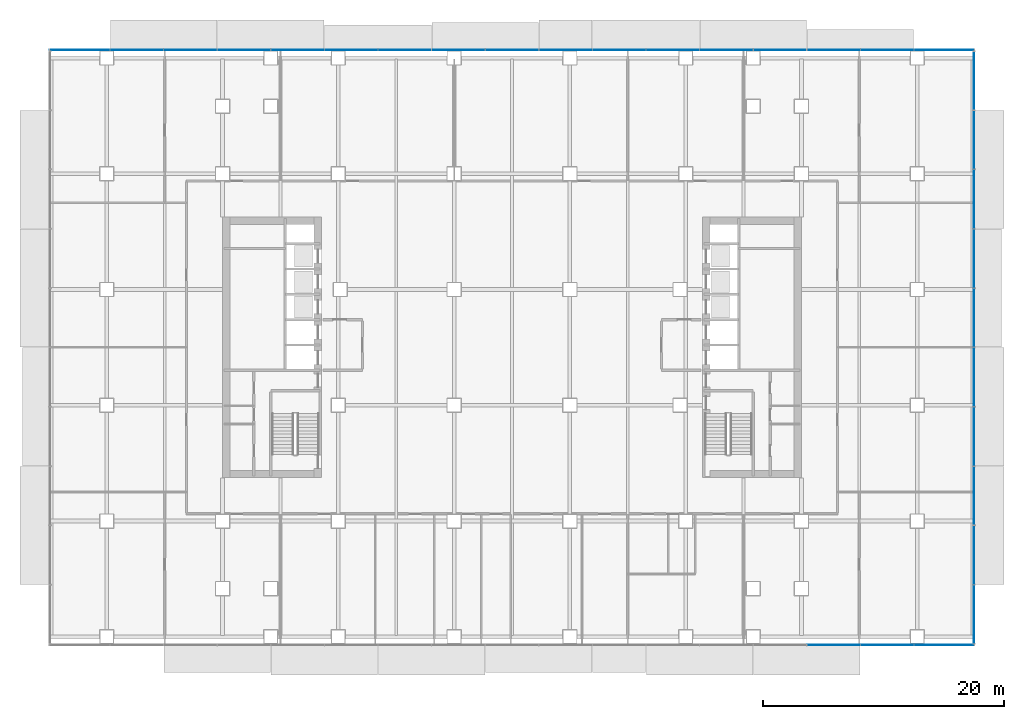
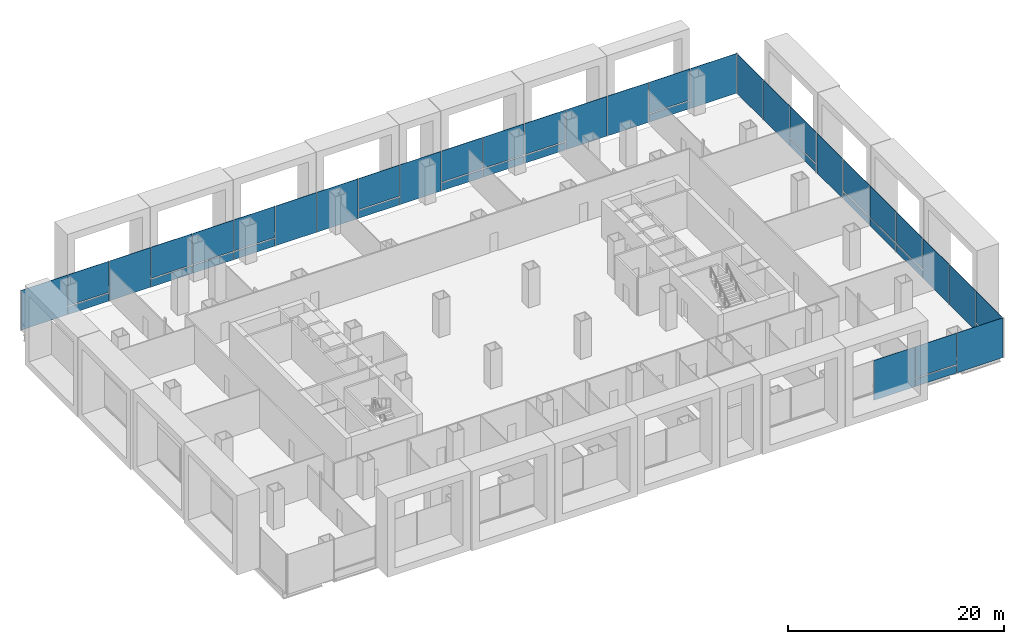
# One storey, part 13 of 23: 45 plates, 3 elements without a shape of their own.
"""IFC4 building model written with IfcOpenShell, lengths in metres."""

from ifc_helpers import new_model, si_unit, direction, frame, origin, origin_2d, place, context, subcontext, project, spatial, rectangle, extrude, material, layer, layer_set, type_object, element, aggregate, save


model = new_model("IFC4")

# Units and contexts
model_context = context("Model", 3, precision=1e-05, world=origin(), true_north=direction((0.0, 1.0)))
body_context = subcontext(model_context, "Body", "Model", "MODEL_VIEW")
ifc_project = project(units=[si_unit("LENGTHUNIT", "METRE"), si_unit("AREAUNIT", "SQUARE_METRE"), si_unit("VOLUMEUNIT", "CUBIC_METRE"), si_unit("PLANEANGLEUNIT", "RADIAN"), si_unit("MASSUNIT", "GRAM", prefix="KILO")], contexts=[model_context])

# Site, building, storey
site_placement = place(None, origin())
site = spatial("IfcSite", under=ifc_project, at=site_placement, CompositionType="ELEMENT")
building_placement = place(site_placement, origin())
building = spatial("IfcBuilding", under=site, at=building_placement, Name="Cobrizo Arcos Hotel Tower", CompositionType="ELEMENT")
storey_placement = place(building_placement, frame((0.0, 0.0, 24.5)))
storey = spatial("IfcBuildingStorey", under=building, at=storey_placement, Name="L04", CompositionType="ELEMENT", Elevation=24.5)

# Curtain wall, plates
ifc_material_1 = material(Name="Aluminium 6063-T6 anodised bronze", Category="aluminium")
curtain_wall_type_1 = type_object("IfcCurtainWallType", Name="CW-A guest facade", PredefinedType="NOTDEFINED", material=ifc_material_1)
curtain_wall_1_placement = place(storey_placement, origin())
curtain_wall_1 = element("IfcCurtainWall", 1, at=curtain_wall_1_placement, inside=storey, type_object=curtain_wall_type_1, Name="CW-A L04 N face", PredefinedType="NOTDEFINED")
ifc_material_2 = material(Name="Glass clear laminated low-e", Category="glass")
ifc_layer_1 = layer(ifc_material_2, 0.0400390625)
ifc_layer_set_1 = layer_set([ifc_layer_1], Name="CW-A glass panel")
plate_type_1 = type_object("IfcPlateType", Name="CW-A glass panel", PredefinedType="CURTAIN_PANEL", material=ifc_layer_set_1)
plate_1_placement = place(storey_placement, frame((31.111083984375, 24.675048828125, 0.990234375), z_axis=(0.0, 0.0, 1.0), x_axis=(-1.0, 0.0, 0.0)))
plate_1 = element("IfcPlate", 2, at=plate_1_placement, type_object=plate_type_1, Name="CW-A glass panel 226", PredefinedType="CURTAIN_PANEL", context=body_context, shape_type="SweptSolid", body=[
    extrude(rectangle(XDim=4.384521484375, YDim=0.0400390625, at=origin_2d()), origin(), (0.0, 0.0, 1.0), 3.510009765625),
])
plate_2_placement = place(storey_placement, frame((17.77783203125, 24.675048828125, 0.990234375), z_axis=(0.0, 0.0, 1.0), x_axis=(-1.0, 0.0, 0.0)))
plate_2 = element("IfcPlate", 3, at=plate_2_placement, type_object=plate_type_1, Name="CW-A glass panel 229", PredefinedType="CURTAIN_PANEL", context=body_context, shape_type="SweptSolid", body=[
    extrude(rectangle(XDim=4.384521484375, YDim=0.0400390625, at=origin_2d()), origin(), (0.0, 0.0, 1.0), 3.510009765625),
])
plate_3_placement = place(storey_placement, frame((13.333251953125, 24.675048828125, 0.990234375), z_axis=(0.0, 0.0, 1.0), x_axis=(-1.0, 0.0, 0.0)))
plate_3 = element("IfcPlate", 4, at=plate_3_placement, type_object=plate_type_1, Name="CW-A glass panel 230", PredefinedType="CURTAIN_PANEL", context=body_context, shape_type="SweptSolid", body=[
    extrude(rectangle(XDim=4.384521484375, YDim=0.0400390625, at=origin_2d()), origin(), (0.0, 0.0, 1.0), 3.510009765625),
])
plate_4_placement = place(storey_placement, frame((8.888916015625, 24.675048828125, 0.990234375), z_axis=(0.0, 0.0, 1.0), x_axis=(-1.0, 0.0, 0.0)))
plate_4 = element("IfcPlate", 5, at=plate_4_placement, type_object=plate_type_1, Name="CW-A glass panel 231", PredefinedType="CURTAIN_PANEL", context=body_context, shape_type="SweptSolid", body=[
    extrude(rectangle(XDim=4.384521484375, YDim=0.0400390625, at=origin_2d()), origin(), (0.0, 0.0, 1.0), 3.510009765625),
])
plate_5_placement = place(storey_placement, frame((0.0, 24.675048828125, 0.990234375), z_axis=(0.0, 0.0, 1.0), x_axis=(-1.0, 0.0, 0.0)))
plate_5 = element("IfcPlate", 6, at=plate_5_placement, type_object=plate_type_1, Name="CW-A glass panel 233", PredefinedType="CURTAIN_PANEL", context=body_context, shape_type="SweptSolid", body=[
    extrude(rectangle(XDim=4.384521484375, YDim=0.0400390625, at=origin_2d()), origin(), (0.0, 0.0, 1.0), 3.510009765625),
])
plate_6_placement = place(storey_placement, frame((-13.333251953125, 24.675048828125, 0.990234375), z_axis=(0.0, 0.0, 1.0), x_axis=(-1.0, 0.0, 0.0)))
plate_6 = element("IfcPlate", 7, at=plate_6_placement, type_object=plate_type_1, Name="CW-A glass panel 236", PredefinedType="CURTAIN_PANEL", context=body_context, shape_type="SweptSolid", body=[
    extrude(rectangle(XDim=4.384521484375, YDim=0.0400390625, at=origin_2d()), origin(), (0.0, 0.0, 1.0), 3.510009765625),
])
plate_7_placement = place(storey_placement, frame((-17.77783203125, 24.675048828125, 0.990234375), z_axis=(0.0, 0.0, 1.0), x_axis=(-1.0, 0.0, 0.0)))
plate_7 = element("IfcPlate", 8, at=plate_7_placement, type_object=plate_type_1, Name="CW-A glass panel 237", PredefinedType="CURTAIN_PANEL", context=body_context, shape_type="SweptSolid", body=[
    extrude(rectangle(XDim=4.384521484375, YDim=0.0400390625, at=origin_2d()), origin(), (0.0, 0.0, 1.0), 3.510009765625),
])
plate_8_placement = place(storey_placement, frame((-22.22216796875, 24.675048828125, 0.990234375), z_axis=(0.0, 0.0, 1.0), x_axis=(-1.0, 0.0, 0.0)))
plate_8 = element("IfcPlate", 9, at=plate_8_placement, type_object=plate_type_1, Name="CW-A glass panel 238", PredefinedType="CURTAIN_PANEL", context=body_context, shape_type="SweptSolid", body=[
    extrude(rectangle(XDim=4.384521484375, YDim=0.0400390625, at=origin_2d()), origin(), (0.0, 0.0, 1.0), 3.510009765625),
])
plate_9_placement = place(storey_placement, frame((-31.111083984375, 24.675048828125, 0.990234375), z_axis=(0.0, 0.0, 1.0), x_axis=(-1.0, 0.0, 0.0)))
plate_9 = element("IfcPlate", 10, at=plate_9_placement, type_object=plate_type_1, Name="CW-A glass panel 240", PredefinedType="CURTAIN_PANEL", context=body_context, shape_type="SweptSolid", body=[
    extrude(rectangle(XDim=4.384521484375, YDim=0.0400390625, at=origin_2d()), origin(), (0.0, 0.0, 1.0), 3.510009765625),
])

# Curtain wall, plate
curtain_wall_2_placement = place(storey_placement, origin())
curtain_wall_2 = element("IfcCurtainWall", 11, at=curtain_wall_2_placement, inside=storey, type_object=curtain_wall_type_1, Name="CW-A L04 S face", PredefinedType="NOTDEFINED")
plate_10_placement = place(storey_placement, frame((31.111083984375, -24.675048828125, 0.990234375), z_axis=(0.0, 0.0, 1.0), x_axis=(1.0, 0.0, 0.0)))
plate_10 = element("IfcPlate", 12, at=plate_10_placement, type_object=plate_type_1, Name="CW-A glass panel 267", PredefinedType="CURTAIN_PANEL", context=body_context, shape_type="SweptSolid", body=[
    extrude(rectangle(XDim=4.384521484375, YDim=0.0400390625, at=origin_2d()), origin(), (0.0, 0.0, 1.0), 3.510009765625),
])

# Plate
ifc_material_3 = material(Name="Aluminium composite panel pale metal", Category="aluminium")
ifc_layer_2 = layer(ifc_material_3, 0.0400390625)
ifc_layer_set_2 = layer_set([ifc_layer_2], Name="CW-A spandrel panel")
plate_type_2 = type_object("IfcPlateType", Name="CW-A spandrel panel", PredefinedType="CURTAIN_PANEL", material=ifc_layer_set_2)
plate_11_placement = place(storey_placement, frame((35.839111328125, 24.675048828125, 0.0), z_axis=(0.0, 0.0, 1.0), x_axis=(-1.0, 0.0, 0.0)))
plate_11 = element("IfcPlate", 13, at=plate_11_placement, type_object=plate_type_2, Name="CW-A spandrel panel 225", PredefinedType="CURTAIN_PANEL", context=body_context, shape_type="SweptSolid", body=[
    extrude(rectangle(XDim=4.95166015625, YDim=0.0400390625, at=origin_2d()), origin(), (0.0, 0.0, 1.0), 4.5),
])

plate_12_placement = place(storey_placement, frame((31.111083984375, 24.675048828125, 0.0), z_axis=(0.0, 0.0, 1.0), x_axis=(-1.0, 0.0, 0.0)))
plate_12 = element("IfcPlate", 14, at=plate_12_placement, type_object=plate_type_2, Name="CW-A spandrel panel 226", PredefinedType="CURTAIN_PANEL", context=body_context, shape_type="SweptSolid", body=[
    extrude(rectangle(XDim=4.384521484375, YDim=0.0400390625, at=origin_2d()), origin(), (0.0, 0.0, 1.0), 0.8701171875),
])

plate_13_placement = place(storey_placement, frame((26.666748046875, 24.675048828125, 0.0), z_axis=(0.0, 0.0, 1.0), x_axis=(-1.0, 0.0, 0.0)))
plate_13 = element("IfcPlate", 15, at=plate_13_placement, type_object=plate_type_2, Name="CW-A spandrel panel 227", PredefinedType="CURTAIN_PANEL", context=body_context, shape_type="SweptSolid", body=[
    extrude(rectangle(XDim=4.384521484375, YDim=0.0400390625, at=origin_2d()), origin(), (0.0, 0.0, 1.0), 4.5),
])

plate_14_placement = place(storey_placement, frame((22.22216796875, 24.675048828125, 0.0), z_axis=(0.0, 0.0, 1.0), x_axis=(-1.0, 0.0, 0.0)))
plate_14 = element("IfcPlate", 16, at=plate_14_placement, type_object=plate_type_2, Name="CW-A spandrel panel 228", PredefinedType="CURTAIN_PANEL", context=body_context, shape_type="SweptSolid", body=[
    extrude(rectangle(XDim=4.384521484375, YDim=0.0400390625, at=origin_2d()), origin(), (0.0, 0.0, 1.0), 4.5),
])

plate_15_placement = place(storey_placement, frame((17.77783203125, 24.675048828125, 0.0), z_axis=(0.0, 0.0, 1.0), x_axis=(-1.0, 0.0, 0.0)))
plate_15 = element("IfcPlate", 17, at=plate_15_placement, type_object=plate_type_2, Name="CW-A spandrel panel 229", PredefinedType="CURTAIN_PANEL", context=body_context, shape_type="SweptSolid", body=[
    extrude(rectangle(XDim=4.384521484375, YDim=0.0400390625, at=origin_2d()), origin(), (0.0, 0.0, 1.0), 0.8701171875),
])

plate_16_placement = place(storey_placement, frame((13.333251953125, 24.675048828125, 0.0), z_axis=(0.0, 0.0, 1.0), x_axis=(-1.0, 0.0, 0.0)))
plate_16 = element("IfcPlate", 18, at=plate_16_placement, type_object=plate_type_2, Name="CW-A spandrel panel 230", PredefinedType="CURTAIN_PANEL", context=body_context, shape_type="SweptSolid", body=[
    extrude(rectangle(XDim=4.384521484375, YDim=0.0400390625, at=origin_2d()), origin(), (0.0, 0.0, 1.0), 0.8701171875),
])

plate_17_placement = place(storey_placement, frame((8.888916015625, 24.675048828125, 0.0), z_axis=(0.0, 0.0, 1.0), x_axis=(-1.0, 0.0, 0.0)))
plate_17 = element("IfcPlate", 19, at=plate_17_placement, type_object=plate_type_2, Name="CW-A spandrel panel 231", PredefinedType="CURTAIN_PANEL", context=body_context, shape_type="SweptSolid", body=[
    extrude(rectangle(XDim=4.384521484375, YDim=0.0400390625, at=origin_2d()), origin(), (0.0, 0.0, 1.0), 0.8701171875),
])

plate_18_placement = place(storey_placement, frame((4.4443359375, 24.675048828125, 0.0), z_axis=(0.0, 0.0, 1.0), x_axis=(-1.0, 0.0, 0.0)))
plate_18 = element("IfcPlate", 20, at=plate_18_placement, type_object=plate_type_2, Name="CW-A spandrel panel 232", PredefinedType="CURTAIN_PANEL", context=body_context, shape_type="SweptSolid", body=[
    extrude(rectangle(XDim=4.384521484375, YDim=0.0400390625, at=origin_2d()), origin(), (0.0, 0.0, 1.0), 4.5),
])

plate_19_placement = place(storey_placement, frame((0.0, 24.675048828125, 0.0), z_axis=(0.0, 0.0, 1.0), x_axis=(-1.0, 0.0, 0.0)))
plate_19 = element("IfcPlate", 21, at=plate_19_placement, type_object=plate_type_2, Name="CW-A spandrel panel 233", PredefinedType="CURTAIN_PANEL", context=body_context, shape_type="SweptSolid", body=[
    extrude(rectangle(XDim=4.384521484375, YDim=0.0400390625, at=origin_2d()), origin(), (0.0, 0.0, 1.0), 0.8701171875),
])

plate_20_placement = place(storey_placement, frame((-4.4443359375, 24.675048828125, 0.0), z_axis=(0.0, 0.0, 1.0), x_axis=(-1.0, 0.0, 0.0)))
plate_20 = element("IfcPlate", 22, at=plate_20_placement, type_object=plate_type_2, Name="CW-A spandrel panel 234", PredefinedType="CURTAIN_PANEL", context=body_context, shape_type="SweptSolid", body=[
    extrude(rectangle(XDim=4.384521484375, YDim=0.0400390625, at=origin_2d()), origin(), (0.0, 0.0, 1.0), 4.5),
])

plate_21_placement = place(storey_placement, frame((-8.888916015625, 24.675048828125, 0.0), z_axis=(0.0, 0.0, 1.0), x_axis=(-1.0, 0.0, 0.0)))
plate_21 = element("IfcPlate", 23, at=plate_21_placement, type_object=plate_type_2, Name="CW-A spandrel panel 235", PredefinedType="CURTAIN_PANEL", context=body_context, shape_type="SweptSolid", body=[
    extrude(rectangle(XDim=4.384521484375, YDim=0.0400390625, at=origin_2d()), origin(), (0.0, 0.0, 1.0), 4.5),
])

plate_22_placement = place(storey_placement, frame((-13.333251953125, 24.675048828125, 0.0), z_axis=(0.0, 0.0, 1.0), x_axis=(-1.0, 0.0, 0.0)))
plate_22 = element("IfcPlate", 24, at=plate_22_placement, type_object=plate_type_2, Name="CW-A spandrel panel 236", PredefinedType="CURTAIN_PANEL", context=body_context, shape_type="SweptSolid", body=[
    extrude(rectangle(XDim=4.384521484375, YDim=0.0400390625, at=origin_2d()), origin(), (0.0, 0.0, 1.0), 0.8701171875),
])

plate_23_placement = place(storey_placement, frame((-17.77783203125, 24.675048828125, 0.0), z_axis=(0.0, 0.0, 1.0), x_axis=(-1.0, 0.0, 0.0)))
plate_23 = element("IfcPlate", 25, at=plate_23_placement, type_object=plate_type_2, Name="CW-A spandrel panel 237", PredefinedType="CURTAIN_PANEL", context=body_context, shape_type="SweptSolid", body=[
    extrude(rectangle(XDim=4.384521484375, YDim=0.0400390625, at=origin_2d()), origin(), (0.0, 0.0, 1.0), 0.8701171875),
])

plate_24_placement = place(storey_placement, frame((-22.22216796875, 24.675048828125, 0.0), z_axis=(0.0, 0.0, 1.0), x_axis=(-1.0, 0.0, 0.0)))
plate_24 = element("IfcPlate", 26, at=plate_24_placement, type_object=plate_type_2, Name="CW-A spandrel panel 238", PredefinedType="CURTAIN_PANEL", context=body_context, shape_type="SweptSolid", body=[
    extrude(rectangle(XDim=4.384521484375, YDim=0.0400390625, at=origin_2d()), origin(), (0.0, 0.0, 1.0), 0.8701171875),
])

plate_25_placement = place(storey_placement, frame((-26.666748046875, 24.675048828125, 0.0), z_axis=(0.0, 0.0, 1.0), x_axis=(-1.0, 0.0, 0.0)))
plate_25 = element("IfcPlate", 27, at=plate_25_placement, type_object=plate_type_2, Name="CW-A spandrel panel 239", PredefinedType="CURTAIN_PANEL", context=body_context, shape_type="SweptSolid", body=[
    extrude(rectangle(XDim=4.384521484375, YDim=0.0400390625, at=origin_2d()), origin(), (0.0, 0.0, 1.0), 4.5),
])

plate_26_placement = place(storey_placement, frame((-31.111083984375, 24.675048828125, 0.0), z_axis=(0.0, 0.0, 1.0), x_axis=(-1.0, 0.0, 0.0)))
plate_26 = element("IfcPlate", 28, at=plate_26_placement, type_object=plate_type_2, Name="CW-A spandrel panel 240", PredefinedType="CURTAIN_PANEL", context=body_context, shape_type="SweptSolid", body=[
    extrude(rectangle(XDim=4.384521484375, YDim=0.0400390625, at=origin_2d()), origin(), (0.0, 0.0, 1.0), 0.8701171875),
])

plate_27_placement = place(storey_placement, frame((-35.839111328125, 24.675048828125, 0.0), z_axis=(0.0, 0.0, 1.0), x_axis=(-1.0, 0.0, 0.0)))
plate_27 = element("IfcPlate", 29, at=plate_27_placement, type_object=plate_type_2, Name="CW-A spandrel panel 241", PredefinedType="CURTAIN_PANEL", context=body_context, shape_type="SweptSolid", body=[
    extrude(rectangle(XDim=4.95166015625, YDim=0.0400390625, at=origin_2d()), origin(), (0.0, 0.0, 1.0), 4.5),
])

aggregate(curtain_wall_1, [plate_11, plate_12, plate_1, plate_13, plate_14, plate_15, plate_2, plate_16, plate_3, plate_17, plate_4, plate_18, plate_19, plate_5, plate_20, plate_21, plate_22, plate_6, plate_23, plate_7, plate_24, plate_8, plate_25, plate_26, plate_9, plate_27])

plate_28_placement = place(storey_placement, frame((26.666748046875, -24.675048828125, 0.0), z_axis=(0.0, 0.0, 1.0), x_axis=(1.0, 0.0, 0.0)))
plate_28 = element("IfcPlate", 30, at=plate_28_placement, type_object=plate_type_2, Name="CW-A spandrel panel 266", PredefinedType="CURTAIN_PANEL", context=body_context, shape_type="SweptSolid", body=[
    extrude(rectangle(XDim=4.384521484375, YDim=0.0400390625, at=origin_2d()), origin(), (0.0, 0.0, 1.0), 4.5),
])

plate_29_placement = place(storey_placement, frame((31.111083984375, -24.675048828125, 0.0), z_axis=(0.0, 0.0, 1.0), x_axis=(1.0, 0.0, 0.0)))
plate_29 = element("IfcPlate", 31, at=plate_29_placement, type_object=plate_type_2, Name="CW-A spandrel panel 267", PredefinedType="CURTAIN_PANEL", context=body_context, shape_type="SweptSolid", body=[
    extrude(rectangle(XDim=4.384521484375, YDim=0.0400390625, at=origin_2d()), origin(), (0.0, 0.0, 1.0), 0.8701171875),
])

plate_30_placement = place(storey_placement, frame((35.839111328125, -24.675048828125, 0.0), z_axis=(0.0, 0.0, 1.0), x_axis=(1.0, 0.0, 0.0)))
plate_30 = element("IfcPlate", 32, at=plate_30_placement, type_object=plate_type_2, Name="CW-A spandrel panel 268", PredefinedType="CURTAIN_PANEL", context=body_context, shape_type="SweptSolid", body=[
    extrude(rectangle(XDim=4.95166015625, YDim=0.0400390625, at=origin_2d()), origin(), (0.0, 0.0, 1.0), 4.5),
])

aggregate(curtain_wall_2, [plate_28, plate_29, plate_10, plate_30])

# Curtain wall, plates
curtain_wall_type_2 = type_object("IfcCurtainWallType", Name="CW-B podium glazing", PredefinedType="NOTDEFINED", material=ifc_material_1)
curtain_wall_3_placement = place(storey_placement, origin())
curtain_wall_3 = element("IfcCurtainWall", 33, at=curtain_wall_3_placement, inside=storey, type_object=curtain_wall_type_2, Name="CW-B L04 E face", PredefinedType="NOTDEFINED")
ifc_layer_3 = layer(ifc_material_2, 0.0400390625)
ifc_layer_set_3 = layer_set([ifc_layer_3], Name="CW-B glass panel")
plate_type_3 = type_object("IfcPlateType", Name="CW-B glass panel", PredefinedType="CURTAIN_PANEL", material=ifc_layer_set_3)
plate_31_placement = place(storey_placement, frame((38.300048828125, -22.1201171875, 0.97998046875), z_axis=(0.0, 0.0, 1.0), x_axis=(0.0, 1.0, 0.0)))
plate_31 = element("IfcPlate", 34, at=plate_31_placement, type_object=plate_type_3, Name="CW-B glass panel 215", PredefinedType="CURTAIN_PANEL", context=body_context, shape_type="SweptSolid", body=[
    extrude(rectangle(XDim=4.800048828125, YDim=0.0400390625, at=origin_2d()), origin(), (0.0, 0.0, 1.0), 3.52001953125),
])
plate_32_placement = place(storey_placement, frame((38.300048828125, -7.3798828125, 0.97998046875), z_axis=(0.0, 0.0, 1.0), x_axis=(0.0, 1.0, 0.0)))
plate_32 = element("IfcPlate", 35, at=plate_32_placement, type_object=plate_type_3, Name="CW-B glass panel 218", PredefinedType="CURTAIN_PANEL", context=body_context, shape_type="SweptSolid", body=[
    extrude(rectangle(XDim=4.840087890625, YDim=0.0400390625, at=origin_2d()), origin(), (0.0, 0.0, 1.0), 3.52001953125),
])
plate_33_placement = place(storey_placement, frame((38.300048828125, -2.4599609375, 0.97998046875), z_axis=(0.0, 0.0, 1.0), x_axis=(0.0, 1.0, 0.0)))
plate_33 = element("IfcPlate", 36, at=plate_33_placement, type_object=plate_type_3, Name="CW-B glass panel 219", PredefinedType="CURTAIN_PANEL", context=body_context, shape_type="SweptSolid", body=[
    extrude(rectangle(XDim=4.840087890625, YDim=0.0400390625, at=origin_2d()), origin(), (0.0, 0.0, 1.0), 3.52001953125),
])
plate_34_placement = place(storey_placement, frame((38.300048828125, 2.4599609375, 0.97998046875), z_axis=(0.0, 0.0, 1.0), x_axis=(0.0, 1.0, 0.0)))
plate_34 = element("IfcPlate", 37, at=plate_34_placement, type_object=plate_type_3, Name="CW-B glass panel 220", PredefinedType="CURTAIN_PANEL", context=body_context, shape_type="SweptSolid", body=[
    extrude(rectangle(XDim=4.840087890625, YDim=0.0400390625, at=origin_2d()), origin(), (0.0, 0.0, 1.0), 3.52001953125),
])
plate_35_placement = place(storey_placement, frame((38.300048828125, 12.300048828125, 0.97998046875), z_axis=(0.0, 0.0, 1.0), x_axis=(0.0, 1.0, 0.0)))
plate_35 = element("IfcPlate", 38, at=plate_35_placement, type_object=plate_type_3, Name="CW-B glass panel 222", PredefinedType="CURTAIN_PANEL", context=body_context, shape_type="SweptSolid", body=[
    extrude(rectangle(XDim=4.840087890625, YDim=0.0400390625, at=origin_2d()), origin(), (0.0, 0.0, 1.0), 3.52001953125),
])
ifc_layer_4 = layer(ifc_material_3, 0.06005859375)
ifc_layer_set_4 = layer_set([ifc_layer_4], Name="CW-B spandrel panel")
plate_type_4 = type_object("IfcPlateType", Name="CW-B spandrel panel", PredefinedType="CURTAIN_PANEL", material=ifc_layer_set_4)
plate_36_placement = place(storey_placement, frame((38.300048828125, -22.1201171875, 0.0), z_axis=(0.0, 0.0, 1.0), x_axis=(0.0, 1.0, 0.0)))
plate_36 = element("IfcPlate", 39, at=plate_36_placement, type_object=plate_type_4, Name="CW-B spandrel panel 215", PredefinedType="CURTAIN_PANEL", context=body_context, shape_type="SweptSolid", body=[
    extrude(rectangle(XDim=4.800048828125, YDim=0.0400390625, at=origin_2d()), origin(), (0.0, 0.0, 1.0), 0.820068359375),
])
plate_37_placement = place(storey_placement, frame((38.300048828125, -17.219970703125, 0.0), z_axis=(0.0, 0.0, 1.0), x_axis=(0.0, 1.0, 0.0)))
plate_37 = element("IfcPlate", 40, at=plate_37_placement, type_object=plate_type_4, Name="CW-B spandrel panel 216", PredefinedType="CURTAIN_PANEL", context=body_context, shape_type="SweptSolid", body=[
    extrude(rectangle(XDim=4.840087890625, YDim=0.0400390625, at=origin_2d()), origin(), (0.0, 0.0, 1.0), 4.5),
])
plate_38_placement = place(storey_placement, frame((38.300048828125, -12.300048828125, 0.0), z_axis=(0.0, 0.0, 1.0), x_axis=(0.0, 1.0, 0.0)))
plate_38 = element("IfcPlate", 41, at=plate_38_placement, type_object=plate_type_4, Name="CW-B spandrel panel 217", PredefinedType="CURTAIN_PANEL", context=body_context, shape_type="SweptSolid", body=[
    extrude(rectangle(XDim=4.840087890625, YDim=0.0400390625, at=origin_2d()), origin(), (0.0, 0.0, 1.0), 4.5),
])
plate_39_placement = place(storey_placement, frame((38.300048828125, -7.3798828125, 0.0), z_axis=(0.0, 0.0, 1.0), x_axis=(0.0, 1.0, 0.0)))
plate_39 = element("IfcPlate", 42, at=plate_39_placement, type_object=plate_type_4, Name="CW-B spandrel panel 218", PredefinedType="CURTAIN_PANEL", context=body_context, shape_type="SweptSolid", body=[
    extrude(rectangle(XDim=4.840087890625, YDim=0.0400390625, at=origin_2d()), origin(), (0.0, 0.0, 1.0), 0.820068359375),
])
plate_40_placement = place(storey_placement, frame((38.300048828125, -2.4599609375, 0.0), z_axis=(0.0, 0.0, 1.0), x_axis=(0.0, 1.0, 0.0)))
plate_40 = element("IfcPlate", 43, at=plate_40_placement, type_object=plate_type_4, Name="CW-B spandrel panel 219", PredefinedType="CURTAIN_PANEL", context=body_context, shape_type="SweptSolid", body=[
    extrude(rectangle(XDim=4.840087890625, YDim=0.0400390625, at=origin_2d()), origin(), (0.0, 0.0, 1.0), 0.820068359375),
])
plate_41_placement = place(storey_placement, frame((38.300048828125, 2.4599609375, 0.0), z_axis=(0.0, 0.0, 1.0), x_axis=(0.0, 1.0, 0.0)))
plate_41 = element("IfcPlate", 44, at=plate_41_placement, type_object=plate_type_4, Name="CW-B spandrel panel 220", PredefinedType="CURTAIN_PANEL", context=body_context, shape_type="SweptSolid", body=[
    extrude(rectangle(XDim=4.840087890625, YDim=0.0400390625, at=origin_2d()), origin(), (0.0, 0.0, 1.0), 0.820068359375),
])
plate_42_placement = place(storey_placement, frame((38.300048828125, 7.3798828125, 0.0), z_axis=(0.0, 0.0, 1.0), x_axis=(0.0, 1.0, 0.0)))
plate_42 = element("IfcPlate", 45, at=plate_42_placement, type_object=plate_type_4, Name="CW-B spandrel panel 221", PredefinedType="CURTAIN_PANEL", context=body_context, shape_type="SweptSolid", body=[
    extrude(rectangle(XDim=4.840087890625, YDim=0.0400390625, at=origin_2d()), origin(), (0.0, 0.0, 1.0), 4.5),
])
plate_43_placement = place(storey_placement, frame((38.300048828125, 12.300048828125, 0.0), z_axis=(0.0, 0.0, 1.0), x_axis=(0.0, 1.0, 0.0)))
plate_43 = element("IfcPlate", 46, at=plate_43_placement, type_object=plate_type_4, Name="CW-B spandrel panel 222", PredefinedType="CURTAIN_PANEL", context=body_context, shape_type="SweptSolid", body=[
    extrude(rectangle(XDim=4.840087890625, YDim=0.0400390625, at=origin_2d()), origin(), (0.0, 0.0, 1.0), 0.820068359375),
])
plate_44_placement = place(storey_placement, frame((38.300048828125, 17.219970703125, 0.0), z_axis=(0.0, 0.0, 1.0), x_axis=(0.0, 1.0, 0.0)))
plate_44 = element("IfcPlate", 47, at=plate_44_placement, type_object=plate_type_4, Name="CW-B spandrel panel 223", PredefinedType="CURTAIN_PANEL", context=body_context, shape_type="SweptSolid", body=[
    extrude(rectangle(XDim=4.840087890625, YDim=0.0400390625, at=origin_2d()), origin(), (0.0, 0.0, 1.0), 4.5),
])
plate_45_placement = place(storey_placement, frame((38.300048828125, 22.1201171875, 0.0), z_axis=(0.0, 0.0, 1.0), x_axis=(0.0, 1.0, 0.0)))
plate_45 = element("IfcPlate", 48, at=plate_45_placement, type_object=plate_type_4, Name="CW-B spandrel panel 224", PredefinedType="CURTAIN_PANEL", context=body_context, shape_type="SweptSolid", body=[
    extrude(rectangle(XDim=4.800048828125, YDim=0.0400390625, at=origin_2d()), origin(), (0.0, 0.0, 1.0), 4.5),
])
aggregate(curtain_wall_3, [plate_36, plate_31, plate_37, plate_38, plate_39, plate_32, plate_40, plate_33, plate_41, plate_34, plate_42, plate_43, plate_35, plate_44, plate_45])

save(model, "model.ifc")
